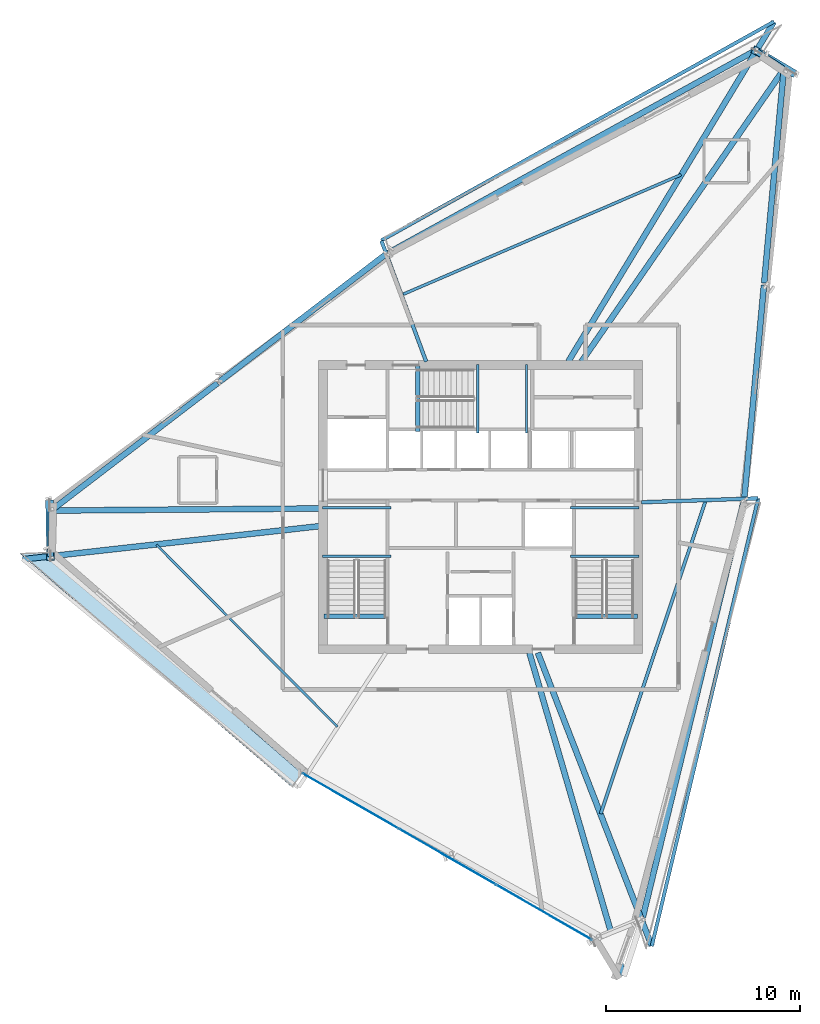
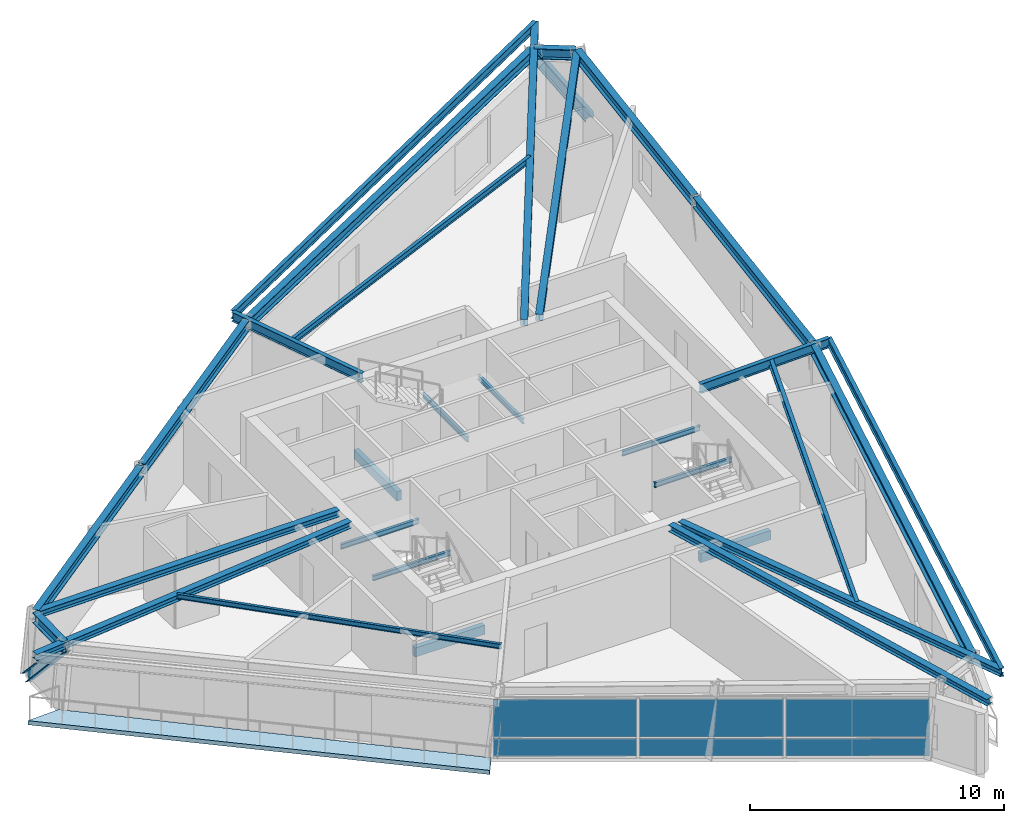
# One storey, part 4 of 13: 30 beams, 6 plates, 2 members, 1 slab, 1 element without a shape of its own.
"""IFC4 building model written with IfcOpenShell, lengths in metres."""

from ifc_helpers import new_model, si_unit, direction, frame, origin, origin_2d, place, context, subcontext, project, spatial, polyline, rectangle, i_section, outline, extrude, source, transform, mapped, material, layer, layer_set, material_profile, profile_set, type_object, element, aggregate, save


model = new_model("IFC4")

# Units and contexts
model_context = context("Model", 3, precision=1e-05, world=origin(), true_north=direction((0.0, 1.0)))
body_context = subcontext(model_context, "Body", "Model", "MODEL_VIEW")
ifc_project = project(units=[si_unit("LENGTHUNIT", "METRE"), si_unit("AREAUNIT", "SQUARE_METRE"), si_unit("VOLUMEUNIT", "CUBIC_METRE"), si_unit("PLANEANGLEUNIT", "RADIAN"), si_unit("MASSUNIT", "GRAM", prefix="KILO")], contexts=[model_context])

# Site, building, storey
site_placement = place(None, origin())
site = spatial("IfcSite", under=ifc_project, at=site_placement, CompositionType="ELEMENT")
building_placement = place(site_placement, origin())
building = spatial("IfcBuilding", under=site, at=building_placement, Name="Olszyna Solenne Hotel", CompositionType="ELEMENT")
storey_placement = place(building_placement, frame((0.0, 0.0, 263.300048828125)))
storey = spatial("IfcBuildingStorey", under=building, at=storey_placement, Name="L70", CompositionType="ELEMENT", Elevation=263.300048828125)

# Member
ifc_material_1 = material(Name="Steel S460M", Category="steel")
ifc_material_profile_1 = material_profile(ifc_material_1, i_section(OverallWidth=0.40087890625, OverallDepth=0.39892578125, WebThickness=0.02197265625, FlangeThickness=0.034423828125, at=origin_2d()), Name="HD 400x314", Category="load-bearing")
ifc_profile_set_1 = profile_set([ifc_material_profile_1], Name="Steel S460M")
member_type = type_object("IfcMemberType", Name="BR-T3", PredefinedType="BRACE", material=ifc_profile_set_1)
shared_shape_1 = source(origin(), body_context, "Body", "SweptSolid", [
    extrude(i_section(OverallWidth=0.40087890625, OverallDepth=0.39892578125, WebThickness=0.02197265625, FlangeThickness=0.034423828125, at=origin_2d()), origin(), (0.0, 0.0, 1.0), 4.199951171875),
])
member_1_placement = place(storey_placement, frame((15.780517578125, 26.832763671875, 0.010009765625), z_axis=(0.012091046892, -0.675877895282, 0.736914430076), x_axis=(0.999840023164, 0.017886533484, 0.0)))
element("IfcMember", 1, at=member_1_placement, inside=storey, type_object=member_type, Name="Perimeter braced-tube diagonal BR-T3 BR-L70-2", PredefinedType="BRACE", context=body_context, shape_type="MappedRepresentation", body=[
    mapped(shared_shape_1, transform((0.0, 0.0, 0.0), x_axis=(1.0, 0.0, 0.0), y_axis=(0.0, 1.0, 0.0), z_axis=(0.0, 0.0, 1.0), scale=1.0)),
])

# Beams
ifc_material_2 = material(Name="Steel S355J2", Category="steel")
ifc_material_profile_2 = material_profile(ifc_material_2, i_section(OverallWidth=0.300048828125, OverallDepth=0.5, WebThickness=0.014404296875, FlangeThickness=0.028076171875, at=origin_2d()), Name="HEB 500", Category="load-bearing")
ifc_profile_set_2 = profile_set([ifc_material_profile_2], Name="Steel S355J2")
beam_type_1 = type_object("IfcBeamType", Name="BM-S3", PredefinedType="BEAM", material=ifc_profile_set_2)
shared_shape_2 = source(origin(), body_context, "Body", "SweptSolid", [
    extrude(i_section(OverallWidth=0.300048828125, OverallDepth=0.5, WebThickness=0.014404296875, FlangeThickness=0.028076171875, at=origin_2d()), origin(), (0.0, 0.0, 1.0), 1.6357421875),
])
beam_1_placement = place(storey_placement, frame((53.577880859375, 49.210205078125, 3.1298828125), z_axis=(-0.837203559744, 0.546891396488, 0.0), x_axis=(-0.546891396488, -0.837203559744, 0.0)))
element("IfcBeam", 2, at=beam_1_placement, inside=storey, type_object=beam_type_1, Name="Perimeter spandrel beam BM-S3 B-L70-2054", PredefinedType="BEAM", context=body_context, shape_type="MappedRepresentation", body=[
    mapped(shared_shape_2, transform((0.0, 0.0, 0.0), x_axis=(1.0, 0.0, 0.0), y_axis=(0.0, 1.0, 0.0), z_axis=(0.0, 0.0, 1.0), scale=1.0)),
])
shared_shape_3 = source(origin(), body_context, "Body", "SweptSolid", [
    extrude(i_section(OverallWidth=0.300048828125, OverallDepth=0.5, WebThickness=0.014404296875, FlangeThickness=0.028076171875, at=origin_2d()), origin(), (0.0, 0.0, 1.0), 21.6181640625),
])
beam_2_placement = place(storey_placement, frame((52.105712890625, 50.1083984375, 3.1298828125), z_axis=(-0.87571782021, -0.482823258933, 0.0), x_axis=(0.482823258933, -0.87571782021, 0.0)))
element("IfcBeam", 3, at=beam_2_placement, inside=storey, type_object=beam_type_1, Name="Perimeter spandrel beam BM-S3 B-L70-2055", PredefinedType="BEAM", context=body_context, shape_type="MappedRepresentation", body=[
    mapped(shared_shape_3, transform((0.0, 0.0, 0.0), x_axis=(1.0, 0.0, 0.0), y_axis=(0.0, 1.0, 0.0), z_axis=(0.0, 0.0, 1.0), scale=1.0)),
])
shared_shape_4 = source(origin(), body_context, "Body", "SweptSolid", [
    extrude(i_section(OverallWidth=0.300048828125, OverallDepth=0.5, WebThickness=0.014404296875, FlangeThickness=0.028076171875, at=origin_2d()), origin(), (0.0, 0.0, 1.0), 10.749267578125),
])
for number, where, z_axis, x_axis, name in (
    (4, (33.07421875, 39.60498046875, 3.1298828125), (-0.794038613048, -0.607867321862, 0.0), (0.607867321862, -0.794038613048, 0.0), "Perimeter spandrel beam BM-S3 B-L70-2056"),
    (5, (24.443603515625, 32.997802734375, 3.1298828125), (-0.79403022063, -0.607878284466, 0.0), (0.607878284466, -0.79403022063, 0.0), "Perimeter spandrel beam BM-S3 B-L70-2057"),
):
    element("IfcBeam", number, at=place(storey_placement, frame(where, z_axis=z_axis, x_axis=x_axis)), inside=storey, type_object=beam_type_1, Name=name, PredefinedType="BEAM", context=body_context, shape_type="MappedRepresentation", body=[
        mapped(shared_shape_4, transform((0.0, 0.0, 0.0), x_axis=(1.0, 0.0, 0.0), y_axis=(0.0, 1.0, 0.0), z_axis=(0.0, 0.0, 1.0), scale=1.0)),
    ])
shared_shape_5 = source(origin(), body_context, "Body", "SweptSolid", [
    extrude(i_section(OverallWidth=0.300048828125, OverallDepth=0.5, WebThickness=0.014404296875, FlangeThickness=0.028076171875, at=origin_2d()), origin(), (0.0, 0.0, 1.0), 2.313232421875),
])
beam_3_placement = place(storey_placement, frame((15.860107421875, 26.3671875, 3.1298828125), z_axis=(-0.012243118622, -0.999925050214, 0.0), x_axis=(0.999925050214, -0.012243118622, 0.0)))
element("IfcBeam", 6, at=beam_3_placement, inside=storey, type_object=beam_type_1, Name="Perimeter spandrel beam BM-S3 B-L70-2058", PredefinedType="BEAM", context=body_context, shape_type="MappedRepresentation", body=[
    mapped(shared_shape_5, transform((0.0, 0.0, 0.0), x_axis=(1.0, 0.0, 0.0), y_axis=(0.0, 1.0, 0.0), z_axis=(0.0, 0.0, 1.0), scale=1.0)),
])
shared_shape_6 = source(origin(), body_context, "Body", "SweptSolid", [
    extrude(i_section(OverallWidth=0.300048828125, OverallDepth=0.5, WebThickness=0.014404296875, FlangeThickness=0.028076171875, at=origin_2d()), origin(), (0.0, 0.0, 1.0), 22.134521484375),
])
beam_4_placement = place(storey_placement, frame((46.353515625, 5.447998046875, 3.1298828125), z_axis=(0.235730085892, 0.971818566712, 0.0), x_axis=(-0.971818566712, 0.235730085892, 0.0)))
element("IfcBeam", 7, at=beam_4_placement, inside=storey, type_object=beam_type_1, Name="Perimeter spandrel beam BM-S3 B-L70-2063", PredefinedType="BEAM", context=body_context, shape_type="MappedRepresentation", body=[
    mapped(shared_shape_6, transform((0.0, 0.0, 0.0), x_axis=(1.0, 0.0, 0.0), y_axis=(0.0, 1.0, 0.0), z_axis=(0.0, 0.0, 1.0), scale=1.0)),
])
shared_shape_7 = source(origin(), body_context, "Body", "SweptSolid", [
    extrude(i_section(OverallWidth=0.300048828125, OverallDepth=0.5, WebThickness=0.014404296875, FlangeThickness=0.028076171875, at=origin_2d()), origin(), (0.0, 0.0, 1.0), 11.00732421875),
])
for number, where, z_axis, x_axis, name in (
    (8, (51.5908203125, 27.07666015625, 3.1298828125), (0.091801548847, 0.995777322311, 0.0), (-0.995777322311, 0.091801548847, 0.0), "Perimeter spandrel beam BM-S3 B-L70-2064"),
    (9, (52.6123046875, 38.156982421875, 3.1298828125), (0.091801548847, 0.995777322311, 0.0), (-0.995777322311, 0.091801548847, 0.0), "Perimeter spandrel beam BM-S3 B-L70-2065"),
):
    element("IfcBeam", number, at=place(storey_placement, frame(where, z_axis=z_axis, x_axis=x_axis)), inside=storey, type_object=beam_type_1, Name=name, PredefinedType="BEAM", context=body_context, shape_type="MappedRepresentation", body=[
        mapped(shared_shape_7, transform((0.0, 0.0, 0.0), x_axis=(1.0, 0.0, 0.0), y_axis=(0.0, 1.0, 0.0), z_axis=(0.0, 0.0, 1.0), scale=1.0)),
    ])
ifc_material_profile_3 = material_profile(ifc_material_2, i_section(OverallWidth=0.300048828125, OverallDepth=0.31005859375, WebThickness=0.009033203125, FlangeThickness=0.015380859375, at=origin_2d()), Name="HEA 320", Category="load-bearing")
ifc_profile_set_3 = profile_set([ifc_material_profile_3], Name="Steel S355J2")
beam_type_2 = type_object("IfcBeamType", Name="BM-G3", PredefinedType="BEAM", material=ifc_profile_set_3)
shared_shape_8 = source(origin(), body_context, "Body", "SweptSolid", [
    extrude(i_section(OverallWidth=0.300048828125, OverallDepth=0.31005859375, WebThickness=0.009033203125, FlangeThickness=0.015380859375, at=origin_2d()), origin(), (0.0, 0.0, 1.0), 18.266357421875),
])
beam_5_placement = place(storey_placement, frame((53.593994140625, 49.128173828125, 3.224853515625), z_axis=(-0.569146036226, -0.822236455923, 0.0), x_axis=(0.822236455923, -0.569146036226, 0.0)))
element("IfcBeam", 10, at=beam_5_placement, inside=storey, type_object=beam_type_2, Name="Radial floor girder BM-G3 B-L70-2066", PredefinedType="BEAM", context=body_context, shape_type="MappedRepresentation", body=[
    mapped(shared_shape_8, transform((0.0, 0.0, 0.0), x_axis=(1.0, 0.0, 0.0), y_axis=(0.0, 1.0, 0.0), z_axis=(0.0, 0.0, 1.0), scale=1.0)),
])
shared_shape_9 = source(origin(), body_context, "Body", "SweptSolid", [
    extrude(i_section(OverallWidth=0.300048828125, OverallDepth=0.31005859375, WebThickness=0.009033203125, FlangeThickness=0.015380859375, at=origin_2d()), origin(), (0.0, 0.0, 1.0), 20.46728515625),
])
beam_6_placement = place(storey_placement, frame((53.11474609375, 51.6162109375, 3.224853515625), z_axis=(-0.517858045766, -0.855466565352, 0.0), x_axis=(0.855466565352, -0.517858045766, 0.0)))
element("IfcBeam", 11, at=beam_6_placement, inside=storey, type_object=beam_type_2, Name="Radial floor girder BM-G3 B-L70-2067", PredefinedType="BEAM", context=body_context, shape_type="MappedRepresentation", body=[
    mapped(shared_shape_9, transform((0.0, 0.0, 0.0), x_axis=(1.0, 0.0, 0.0), y_axis=(0.0, 1.0, 0.0), z_axis=(0.0, 0.0, 1.0), scale=1.0)),
])
ifc_material_profile_4 = material_profile(ifc_material_2, i_section(OverallWidth=0.18994140625, OverallDepth=0.449951171875, WebThickness=0.009521484375, FlangeThickness=0.0146484375, at=origin_2d()), Name="IPE 450", Category="load-bearing")
ifc_profile_set_4 = profile_set([ifc_material_profile_4], Name="Steel S355J2")
beam_type_3 = type_object("IfcBeamType", Name="BM-F4", PredefinedType="BEAM", material=ifc_profile_set_4)
shared_shape_10 = source(origin(), body_context, "Body", "SweptSolid", [
    extrude(i_section(OverallWidth=0.18994140625, OverallDepth=0.449951171875, WebThickness=0.009521484375, FlangeThickness=0.0146484375, at=origin_2d()), origin(), (0.0, 0.0, 1.0), 6.639404296875),
])
beam_7_placement = place(storey_placement, frame((32.88720703125, 40.329345703125, 3.155029296875), z_axis=(0.347340703201, -0.937739002015, 0.0), x_axis=(0.937739002015, 0.347340703201, 0.0)))
element("IfcBeam", 12, at=beam_7_placement, inside=storey, type_object=beam_type_3, Name="Radial floor girder BM-F4 B-L70-2068", PredefinedType="BEAM", context=body_context, shape_type="MappedRepresentation", body=[
    mapped(shared_shape_10, transform((0.0, 0.0, 0.0), x_axis=(1.0, 0.0, 0.0), y_axis=(0.0, 1.0, 0.0), z_axis=(0.0, 0.0, 1.0), scale=1.0)),
])
shared_shape_11 = source(origin(), body_context, "Body", "SweptSolid", [
    extrude(i_section(OverallWidth=0.300048828125, OverallDepth=0.31005859375, WebThickness=0.009033203125, FlangeThickness=0.015380859375, at=origin_2d()), origin(), (0.0, 0.0, 1.0), 13.779541015625),
])
beam_8_placement = place(storey_placement, frame((15.9208984375, 26.427734375, 3.224853515625), z_axis=(0.999969612362, 0.007795790667, 0.0), x_axis=(-0.007795790667, 0.999969612362, 0.0)))
element("IfcBeam", 13, at=beam_8_placement, inside=storey, type_object=beam_type_2, Name="Radial floor girder BM-G3 B-L70-2069", PredefinedType="BEAM", context=body_context, shape_type="MappedRepresentation", body=[
    mapped(shared_shape_11, transform((0.0, 0.0, 0.0), x_axis=(1.0, 0.0, 0.0), y_axis=(0.0, 1.0, 0.0), z_axis=(0.0, 0.0, 1.0), scale=1.0)),
])
shared_shape_12 = source(origin(), body_context, "Body", "SweptSolid", [
    extrude(i_section(OverallWidth=0.300048828125, OverallDepth=0.31005859375, WebThickness=0.009033203125, FlangeThickness=0.015380859375, at=origin_2d()), origin(), (0.0, 0.0, 1.0), 15.393310546875),
])
beam_9_placement = place(storey_placement, frame((14.401611328125, 23.913818359375, 3.224853515625), z_axis=(0.993807486971, 0.111115610247, 0.0), x_axis=(-0.111115610247, 0.993807486971, 0.0)))
element("IfcBeam", 14, at=beam_9_placement, inside=storey, type_object=beam_type_2, Name="Radial floor girder BM-G3 B-L70-2070", PredefinedType="BEAM", context=body_context, shape_type="MappedRepresentation", body=[
    mapped(shared_shape_12, transform((0.0, 0.0, 0.0), x_axis=(1.0, 0.0, 0.0), y_axis=(0.0, 1.0, 0.0), z_axis=(0.0, 0.0, 1.0), scale=1.0)),
])
shared_shape_13 = source(origin(), body_context, "Body", "SweptSolid", [
    extrude(i_section(OverallWidth=0.300048828125, OverallDepth=0.31005859375, WebThickness=0.009033203125, FlangeThickness=0.015380859375, at=origin_2d()), origin(), (0.0, 0.0, 1.0), 17.343505859375),
])
beam_10_placement = place(storey_placement, frame((45.376220703125, 2.449462890625, 3.224853515625), z_axis=(-0.280353500078, 0.959896825182, 0.0), x_axis=(-0.959896825182, -0.280353500078, 0.0)))
element("IfcBeam", 15, at=beam_10_placement, inside=storey, type_object=beam_type_2, Name="Radial floor girder BM-G3 B-L70-2072", PredefinedType="BEAM", context=body_context, shape_type="MappedRepresentation", body=[
    mapped(shared_shape_13, transform((0.0, 0.0, 0.0), x_axis=(1.0, 0.0, 0.0), y_axis=(0.0, 1.0, 0.0), z_axis=(0.0, 0.0, 1.0), scale=1.0)),
])
shared_shape_14 = source(origin(), body_context, "Body", "SweptSolid", [
    extrude(i_section(OverallWidth=0.300048828125, OverallDepth=0.31005859375, WebThickness=0.009033203125, FlangeThickness=0.015380859375, at=origin_2d()), origin(), (0.0, 0.0, 1.0), 16.199951171875),
])
beam_11_placement = place(storey_placement, frame((46.81494140625, 3.995361328125, 3.224853515625), z_axis=(-0.36202295756, 0.932169178958, 0.0), x_axis=(-0.932169178958, -0.36202295756, 0.0)))
element("IfcBeam", 16, at=beam_11_placement, inside=storey, type_object=beam_type_2, Name="Radial floor girder BM-G3 B-L70-2073", PredefinedType="BEAM", context=body_context, shape_type="MappedRepresentation", body=[
    mapped(shared_shape_14, transform((0.0, 0.0, 0.0), x_axis=(1.0, 0.0, 0.0), y_axis=(0.0, 1.0, 0.0), z_axis=(0.0, 0.0, 1.0), scale=1.0)),
])
shared_shape_15 = source(origin(), body_context, "Body", "SweptSolid", [
    extrude(i_section(OverallWidth=0.18994140625, OverallDepth=0.449951171875, WebThickness=0.009521484375, FlangeThickness=0.0146484375, at=origin_2d()), origin(), (0.0, 0.0, 1.0), 5.993408203125),
])
beam_12_placement = place(storey_placement, frame((52.2900390625, 27.0576171875, 3.155029296875), z_axis=(-0.999426905204, -0.033850570949, 0.0), x_axis=(0.033850570949, -0.999426905204, 0.0)))
element("IfcBeam", 17, at=beam_12_placement, inside=storey, type_object=beam_type_3, Name="Radial floor girder BM-F4 B-L70-2074", PredefinedType="BEAM", context=body_context, shape_type="MappedRepresentation", body=[
    mapped(shared_shape_15, transform((0.0, 0.0, 0.0), x_axis=(1.0, 0.0, 0.0), y_axis=(0.0, 1.0, 0.0), z_axis=(0.0, 0.0, 1.0), scale=1.0)),
])
ifc_material_profile_5 = material_profile(ifc_material_2, i_section(OverallWidth=0.14990234375, OverallDepth=0.300048828125, WebThickness=0.007080078125, FlangeThickness=0.0107421875, at=origin_2d()), Name="IPE 300", Category="load-bearing")
ifc_profile_set_5 = profile_set([ifc_material_profile_5], Name="Steel S355J2")
beam_type_4 = type_object("IfcBeamType", Name="JS-02", PredefinedType="JOIST", material=ifc_profile_set_5)
shared_shape_16 = source(origin(), body_context, "Body", "SweptSolid", [
    extrude(i_section(OverallWidth=0.14990234375, OverallDepth=0.300048828125, WebThickness=0.007080078125, FlangeThickness=0.0107421875, at=origin_2d()), origin(), (0.0, 0.0, 1.0), 15.66845703125),
])
beam_13_placement = place(storey_placement, frame((48.33251953125, 43.738525390625, 3.22998046875), z_axis=(-0.918583159848, -0.395227755153, 0.0), x_axis=(0.395227755153, -0.918583159848, 0.0)))
element("IfcBeam", 18, at=beam_13_placement, inside=storey, type_object=beam_type_4, Name="Secondary composite floor joist JS-02 B-L70-2076", PredefinedType="JOIST", context=body_context, shape_type="MappedRepresentation", body=[
    mapped(shared_shape_16, transform((0.0, 0.0, 0.0), x_axis=(1.0, 0.0, 0.0), y_axis=(0.0, 1.0, 0.0), z_axis=(0.0, 0.0, 1.0), scale=1.0)),
])
ifc_material_profile_6 = material_profile(ifc_material_2, i_section(OverallWidth=0.1201171875, OverallDepth=0.239990234375, WebThickness=0.006103515625, FlangeThickness=0.009765625, at=origin_2d()), Name="IPE 240", Category="load-bearing")
ifc_profile_set_6 = profile_set([ifc_material_profile_6], Name="Steel S355J2")
beam_type_5 = type_object("IfcBeamType", Name="JS-03", PredefinedType="JOIST", material=ifc_profile_set_6)
shared_shape_17 = source(origin(), body_context, "Body", "SweptSolid", [
    extrude(i_section(OverallWidth=0.1201171875, OverallDepth=0.239990234375, WebThickness=0.006103515625, FlangeThickness=0.009765625, at=origin_2d()), origin(), (0.0, 0.0, 1.0), 13.230712890625),
])
beam_14_placement = place(storey_placement, frame((21.2890625, 24.668212890625, 3.260009765625), z_axis=(0.705203607463, -0.709004846261, 0.0), x_axis=(0.709004846261, 0.705203607463, 0.0)))
element("IfcBeam", 19, at=beam_14_placement, inside=storey, type_object=beam_type_5, Name="Secondary composite floor joist JS-03 B-L70-2077", PredefinedType="JOIST", context=body_context, shape_type="MappedRepresentation", body=[
    mapped(shared_shape_17, transform((0.0, 0.0, 0.0), x_axis=(1.0, 0.0, 0.0), y_axis=(0.0, 1.0, 0.0), z_axis=(0.0, 0.0, 1.0), scale=1.0)),
])
ifc_material_profile_7 = material_profile(ifc_material_2, i_section(OverallWidth=0.169921875, OverallDepth=0.360107421875, WebThickness=0.008056640625, FlangeThickness=0.0126953125, at=origin_2d()), Name="IPE 360", Category="load-bearing")
ifc_profile_set_7 = profile_set([ifc_material_profile_7], Name="Steel S355J2")
beam_type_6 = type_object("IfcBeamType", Name="JS-01", PredefinedType="JOIST", material=ifc_profile_set_7)
shared_shape_18 = source(origin(), body_context, "Body", "SweptSolid", [
    extrude(i_section(OverallWidth=0.169921875, OverallDepth=0.360107421875, WebThickness=0.008056640625, FlangeThickness=0.0126953125, at=origin_2d()), origin(), (0.0, 0.0, 1.0), 17.03125),
])
beam_15_placement = place(storey_placement, frame((44.186279296875, 10.799560546875, 3.199951171875), z_axis=(0.317818492238, 0.948151573321, 0.0), x_axis=(-0.948151573321, 0.317818492238, 0.0)))
element("IfcBeam", 20, at=beam_15_placement, inside=storey, type_object=beam_type_6, Name="Secondary composite floor joist JS-01 B-L70-2078", PredefinedType="JOIST", context=body_context, shape_type="MappedRepresentation", body=[
    mapped(shared_shape_18, transform((0.0, 0.0, 0.0), x_axis=(1.0, 0.0, 0.0), y_axis=(0.0, 1.0, 0.0), z_axis=(0.0, 0.0, 1.0), scale=1.0)),
])
ifc_material_profile_8 = material_profile(ifc_material_2, i_section(OverallWidth=0.179931640625, OverallDepth=0.39990234375, WebThickness=0.008544921875, FlangeThickness=0.013427734375, at=origin_2d()), Name="IPE 400", Category="load-bearing")
ifc_profile_set_8 = profile_set([ifc_material_profile_8], Name="Steel S355J2")
beam_type_7 = type_object("IfcBeamType", Name="BM-F5", PredefinedType="BEAM", material=ifc_profile_set_8)
shared_shape_19 = source(origin(), body_context, "Body", "SweptSolid", [
    extrude(i_section(OverallWidth=0.179931640625, OverallDepth=0.39990234375, WebThickness=0.008544921875, FlangeThickness=0.013427734375, at=origin_2d()), origin(), (0.0, 0.0, 1.0), 23.177490234375),
])
beam_16_placement = place(storey_placement, frame((53.125, 51.63330078125, 3.179931640625), z_axis=(-0.873457782917, -0.486899888541, 0.0), x_axis=(0.486899888541, -0.873457782917, 0.0)))
element("IfcBeam", 21, at=beam_16_placement, inside=storey, type_object=beam_type_7, Name="Loggia outer edge beam BM-F5 B-L70-2079", PredefinedType="BEAM", context=body_context, shape_type="MappedRepresentation", body=[
    mapped(shared_shape_19, transform((0.0, 0.0, 0.0), x_axis=(1.0, 0.0, 0.0), y_axis=(0.0, 1.0, 0.0), z_axis=(0.0, 0.0, 1.0), scale=1.0)),
])
shared_shape_20 = source(origin(), body_context, "Body", "SweptSolid", [
    extrude(i_section(OverallWidth=0.179931640625, OverallDepth=0.39990234375, WebThickness=0.008544921875, FlangeThickness=0.013427734375, at=origin_2d()), origin(), (0.0, 0.0, 1.0), 23.724853515625),
])
beam_17_placement = place(storey_placement, frame((46.822265625, 3.976806640625, 3.179931640625), z_axis=(0.231308886826, 0.972880362057, 0.0), x_axis=(-0.972880362057, 0.231308886826, 0.0)))
element("IfcBeam", 22, at=beam_17_placement, inside=storey, type_object=beam_type_7, Name="Loggia outer edge beam BM-F5 B-L70-2081", PredefinedType="BEAM", context=body_context, shape_type="MappedRepresentation", body=[
    mapped(shared_shape_20, transform((0.0, 0.0, 0.0), x_axis=(1.0, 0.0, 0.0), y_axis=(0.0, 1.0, 0.0), z_axis=(0.0, 0.0, 1.0), scale=1.0)),
])

# Member
shared_shape_21 = source(origin(), body_context, "Body", "SweptSolid", [
    extrude(i_section(OverallWidth=0.40087890625, OverallDepth=0.39892578125, WebThickness=0.02197265625, FlangeThickness=0.034423828125, at=origin_2d()), origin(), (0.0, 0.0, 1.0), 3.819580078125),
])
member_2_placement = place(storey_placement, frame((54.084228515625, 48.99658203125, 0.010009765625), z_axis=(-0.504236598343, 0.298681407537, 0.81026839361), x_axis=(-0.509643938134, -0.860385411501, 0.0)))
element("IfcMember", 23, at=member_2_placement, inside=storey, type_object=member_type, Name="Perimeter braced-tube diagonal BR-T3 BR-L70-1", PredefinedType="BRACE", context=body_context, shape_type="MappedRepresentation", body=[
    mapped(shared_shape_21, transform((0.0, 0.0, 0.0), x_axis=(1.0, 0.0, 0.0), y_axis=(0.0, 1.0, 0.0), z_axis=(0.0, 0.0, 1.0), scale=1.0)),
])

# Beams
shared_shape_22 = source(origin(), body_context, "Body", "SweptSolid", [
    extrude(i_section(OverallWidth=0.1201171875, OverallDepth=0.239990234375, WebThickness=0.006103515625, FlangeThickness=0.009765625, at=origin_2d()), origin(), (0.0, 0.0, 1.0), 3.539794921875),
])
for number, where, z_axis, x_axis, name in (
    (24, (33.3798828125, 24.070068359375, 1.474853515625), (-1.0, 0.0, 0.0), (0.0, -1.0, 0.0), "Stair landing support beam JS-03 SLB-ST1-0145"),
    (25, (33.3798828125, 26.580078125, 1.474853515625), (-1.0, 0.0, 0.0), (0.0, -1.0, 0.0), "Stair landing support beam JS-03 SLB-ST1-0146"),
    (26, (46.159912109375, 24.070068359375, 1.474853515625), (-1.0, 0.0, 0.0), (0.0, -1.0, 0.0), "Stair landing support beam JS-03 SLB-ST2-0385"),
    (27, (46.159912109375, 26.580078125, 1.474853515625), (-1.0, 0.0, 0.0), (0.0, -1.0, 0.0), "Stair landing support beam JS-03 SLB-ST2-0386"),
):
    element("IfcBeam", number, at=place(storey_placement, frame(where, z_axis=z_axis, x_axis=x_axis)), inside=storey, type_object=beam_type_5, Name=name, PredefinedType="JOIST", context=body_context, shape_type="MappedRepresentation", body=[
        mapped(shared_shape_22, transform((0.0, 0.0, 0.0), x_axis=(1.0, 0.0, 0.0), y_axis=(0.0, 1.0, 0.0), z_axis=(0.0, 0.0, 1.0), scale=1.0)),
    ])
ifc_material_3 = material(Name="Concrete C50/60", Category="concrete")
ifc_material_profile_9 = material_profile(ifc_material_3, rectangle(XDim=0.219970703125, YDim=0.43994140625, at=origin_2d()), Name="RC 220x440", Category="load-bearing")
ifc_profile_set_9 = profile_set([ifc_material_profile_9], Name="Concrete C50/60")
beam_type_8 = type_object("IfcBeamType", Name="BM-ST1", PredefinedType="BEAM", material=ifc_profile_set_9)
shared_shape_23 = source(origin(), body_context, "Body", "SweptSolid", [
    extrude(rectangle(XDim=0.219970703125, YDim=0.43994140625, at=origin_2d()), origin(), (0.0, 0.0, 1.0), 3.18017578125),
])
for number, where, z_axis, x_axis, name in (
    (28, (33.10009765625, 20.97998046875, -0.205078125), (-1.0, 0.0, 0.0), (0.0, -1.0, 0.0), "Concrete stair trimmer beam BM-ST1 SHB-ST1-0232"),
    (29, (46.080078125, 20.97998046875, -0.205078125), (-1.0, 0.0, 0.0), (0.0, -1.0, 0.0), "Concrete stair trimmer beam BM-ST1 SHB-ST2-0472"),
):
    element("IfcBeam", number, at=place(storey_placement, frame(where, z_axis=z_axis, x_axis=x_axis)), inside=storey, type_object=beam_type_8, Name=name, PredefinedType="BEAM", context=body_context, shape_type="MappedRepresentation", body=[
        mapped(shared_shape_23, transform((0.0, 0.0, 0.0), x_axis=(1.0, 0.0, 0.0), y_axis=(0.0, 1.0, 0.0), z_axis=(0.0, 0.0, 1.0), scale=1.0)),
    ])
shared_shape_24 = source(origin(), body_context, "Body", "SweptSolid", [
    extrude(i_section(OverallWidth=0.1201171875, OverallDepth=0.239990234375, WebThickness=0.006103515625, FlangeThickness=0.009765625, at=origin_2d()), origin(), (0.0, 0.0, 1.0), 3.5400390625),
])
for number, where, z_axis, x_axis, name in (
    (30, (37.85009765625, 30.419921875, 1.474853515625), (0.0, 1.0, 0.0), (-1.0, 0.0, 0.0), "Stair landing support beam JS-03 SLB-ST3-0625"),
    (31, (40.360107421875, 30.419921875, 1.474853515625), (0.0, 1.0, 0.0), (-1.0, 0.0, 0.0), "Stair landing support beam JS-03 SLB-ST3-0626"),
):
    element("IfcBeam", number, at=place(storey_placement, frame(where, z_axis=z_axis, x_axis=x_axis)), inside=storey, type_object=beam_type_5, Name=name, PredefinedType="JOIST", context=body_context, shape_type="MappedRepresentation", body=[
        mapped(shared_shape_24, transform((0.0, 0.0, 0.0), x_axis=(1.0, 0.0, 0.0), y_axis=(0.0, 1.0, 0.0), z_axis=(0.0, 0.0, 1.0), scale=1.0)),
    ])
shared_shape_25 = source(origin(), body_context, "Body", "SweptSolid", [
    extrude(rectangle(XDim=0.219970703125, YDim=0.43994140625, at=origin_2d()), origin(), (0.0, 0.0, 1.0), 3.3798828125),
])
beam_18_placement = place(storey_placement, frame((34.760009765625, 30.5, -0.205078125), z_axis=(0.0, 1.0, 0.0), x_axis=(-1.0, 0.0, 0.0)))
element("IfcBeam", 32, at=beam_18_placement, inside=storey, type_object=beam_type_8, Name="Concrete stair trimmer beam BM-ST1 SHB-ST3-0710", PredefinedType="BEAM", context=body_context, shape_type="MappedRepresentation", body=[
    mapped(shared_shape_25, transform((0.0, 0.0, 0.0), x_axis=(1.0, 0.0, 0.0), y_axis=(0.0, 1.0, 0.0), z_axis=(0.0, 0.0, 1.0), scale=1.0)),
])

# Slab
ifc_material_4 = material(Name="Precast concrete C45/55", Category="concrete")
ifc_layer = layer(ifc_material_4, 0.199951171875, Name="Precast concrete C45/55")
ifc_layer_set = layer_set([ifc_layer], Name="Precast concrete C45/55")
slab_type = type_object("IfcSlabType", Name="SL-LOG200", PredefinedType="FLOOR", material=ifc_layer_set)
slab_placement = place(storey_placement, frame((0.0, 0.0, -0.199951171875)))
element("IfcSlab", 33, at=slab_placement, inside=storey, type_object=slab_type, Name="Exterior loggia balcony slab SL-L70-LG2", PredefinedType="FLOOR", context=body_context, shape_type="SweptSolid", body=[
    extrude(outline(polyline([(28.771484375, 12.89111328125), (28.77099609375, 12.8916015625), (28.77001953125, 12.892333984375), (15.69921875, 24.2529296875), (15.697998046875, 24.25390625), (15.697021484375, 24.2548828125), (15.6962890625, 24.256103515625), (15.695556640625, 24.257568359375), (15.69482421875, 24.2587890625), (15.6943359375, 24.26025390625), (15.694091796875, 24.26171875), (15.69384765625, 24.26318359375), (15.69384765625, 24.263671875), (14.25830078125, 24.204345703125), (28.28466796875, 12.16357421875), (28.771484375, 12.89111328125)])), origin(), (0.0, 0.0, 1.0), 0.199951171875),
])

# Curtain wall, plates
ifc_material_5 = material(Name="Anodised bronze aluminium", Category="aluminium")
curtain_wall_type = type_object("IfcCurtainWallType", Name="CW-SYS-4", PredefinedType="NOTDEFINED", material=ifc_material_5)
curtain_wall_placement = place(storey_placement, origin())
curtain_wall = element("IfcCurtainWall", 34, at=curtain_wall_placement, inside=storey, type_object=curtain_wall_type, Name="Unitised curtain wall CW-SYS-4 CW-L70-01", PredefinedType="NOTDEFINED")
ifc_material_6 = material(Name="Terracotta cladding", Category="masonry")
plate_type_1 = type_object("IfcPlateType", Name="PN-SP1", PredefinedType="CURTAIN_PANEL", material=ifc_material_6)
shared_shape_26 = source(origin(), body_context, "Body", "SweptSolid", [
    extrude(rectangle(XDim=5.675048828125, YDim=0.035888671875, at=origin_2d()), origin(), (0.0, 0.0, 1.0), 0.8525390625),
])
plate_1_placement = place(storey_placement, frame((31.2958984375, 11.456787109375, 0.06494140625), z_axis=(0.0, 0.0, 1.0), x_axis=(0.866882472301, -0.498512566759, 0.0)))
plate_1 = element("IfcPlate", 35, at=plate_1_placement, type_object=plate_type_1, Name="Curtain-wall panel PN-SP1 CP-L70-01-01", PredefinedType="CURTAIN_PANEL", context=body_context, shape_type="MappedRepresentation", body=[
    mapped(shared_shape_26, transform((0.0, 0.0, 0.0), x_axis=(1.0, 0.0, 0.0), y_axis=(0.0, 1.0, 0.0), z_axis=(0.0, 0.0, 1.0), scale=1.0)),
])
plate_2_placement = place(storey_placement, frame((41.276123046875, 5.717529296875, 0.06494140625), z_axis=(0.0, 0.0, 1.0), x_axis=(0.866882472301, -0.498512566759, 0.0)))
plate_2 = element("IfcPlate", 36, at=plate_2_placement, type_object=plate_type_1, Name="Curtain-wall panel PN-SP1 CP-L70-01-05", PredefinedType="CURTAIN_PANEL", context=body_context, shape_type="MappedRepresentation", body=[
    mapped(shared_shape_26, transform((0.0, 0.0, 0.0), x_axis=(1.0, 0.0, 0.0), y_axis=(0.0, 1.0, 0.0), z_axis=(0.0, 0.0, 1.0), scale=1.0)),
])
ifc_material_7 = material(Name="Low-E triple glazing", Category="glass")
plate_type_2 = type_object("IfcPlateType", Name="PN-GL1", PredefinedType="CURTAIN_PANEL", material=ifc_material_7)
shared_shape_27 = source(origin(), body_context, "Body", "SweptSolid", [
    extrude(rectangle(XDim=5.675048828125, YDim=0.035888671875, at=origin_2d()), origin(), (0.0, 0.0, 1.0), 1.824462890625),
])
plate_3_placement = place(storey_placement, frame((31.2958984375, 11.456787109375, 0.982421875), z_axis=(0.0, 0.0, 1.0), x_axis=(0.866882472301, -0.498512566759, 0.0)))
plate_3 = element("IfcPlate", 37, at=plate_3_placement, type_object=plate_type_2, Name="Curtain-wall panel PN-GL1 CP-L70-01-02", PredefinedType="CURTAIN_PANEL", context=body_context, shape_type="MappedRepresentation", body=[
    mapped(shared_shape_27, transform((0.0, 0.0, 0.0), x_axis=(1.0, 0.0, 0.0), y_axis=(0.0, 1.0, 0.0), z_axis=(0.0, 0.0, 1.0), scale=1.0)),
])
plate_4_placement = place(storey_placement, frame((41.276123046875, 5.717529296875, 0.982421875), z_axis=(0.0, 0.0, 1.0), x_axis=(0.866882472301, -0.498512566759, 0.0)))
plate_4 = element("IfcPlate", 38, at=plate_4_placement, type_object=plate_type_2, Name="Curtain-wall panel PN-GL1 CP-L70-01-06", PredefinedType="CURTAIN_PANEL", context=body_context, shape_type="MappedRepresentation", body=[
    mapped(shared_shape_27, transform((0.0, 0.0, 0.0), x_axis=(1.0, 0.0, 0.0), y_axis=(0.0, 1.0, 0.0), z_axis=(0.0, 0.0, 1.0), scale=1.0)),
])
shared_shape_28 = source(origin(), body_context, "Body", "SweptSolid", [
    extrude(rectangle(XDim=5.70751953125, YDim=0.035888671875, at=origin_2d()), origin(), (0.0, 0.0, 1.0), 0.8525390625),
])
plate_5_placement = place(storey_placement, frame((36.2861328125, 8.587158203125, 0.06494140625), z_axis=(0.0, 0.0, 1.0), x_axis=(0.866882472301, -0.498512566759, 0.0)))
plate_5 = element("IfcPlate", 39, at=plate_5_placement, type_object=plate_type_1, Name="Curtain-wall panel PN-SP1 CP-L70-01-03", PredefinedType="CURTAIN_PANEL", context=body_context, shape_type="MappedRepresentation", body=[
    mapped(shared_shape_28, transform((0.0, 0.0, 0.0), x_axis=(1.0, 0.0, 0.0), y_axis=(0.0, 1.0, 0.0), z_axis=(0.0, 0.0, 1.0), scale=1.0)),
])
shared_shape_29 = source(origin(), body_context, "Body", "SweptSolid", [
    extrude(rectangle(XDim=5.70751953125, YDim=0.035888671875, at=origin_2d()), origin(), (0.0, 0.0, 1.0), 1.824462890625),
])
plate_6_placement = place(storey_placement, frame((36.2861328125, 8.587158203125, 0.982421875), z_axis=(0.0, 0.0, 1.0), x_axis=(0.866882472301, -0.498512566759, 0.0)))
plate_6 = element("IfcPlate", 40, at=plate_6_placement, type_object=plate_type_2, Name="Curtain-wall panel PN-GL1 CP-L70-01-04", PredefinedType="CURTAIN_PANEL", context=body_context, shape_type="MappedRepresentation", body=[
    mapped(shared_shape_29, transform((0.0, 0.0, 0.0), x_axis=(1.0, 0.0, 0.0), y_axis=(0.0, 1.0, 0.0), z_axis=(0.0, 0.0, 1.0), scale=1.0)),
])
aggregate(curtain_wall, [plate_1, plate_3, plate_5, plate_6, plate_2, plate_4])

save(model, "model.ifc")
